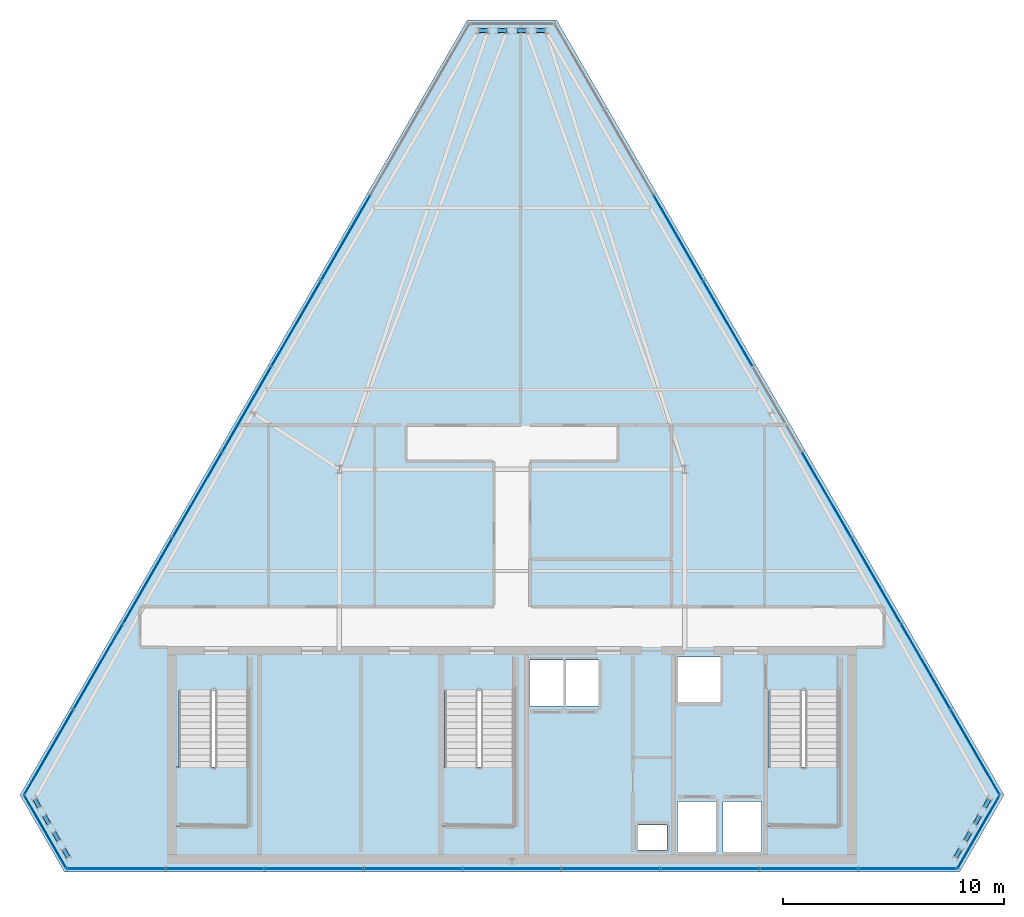
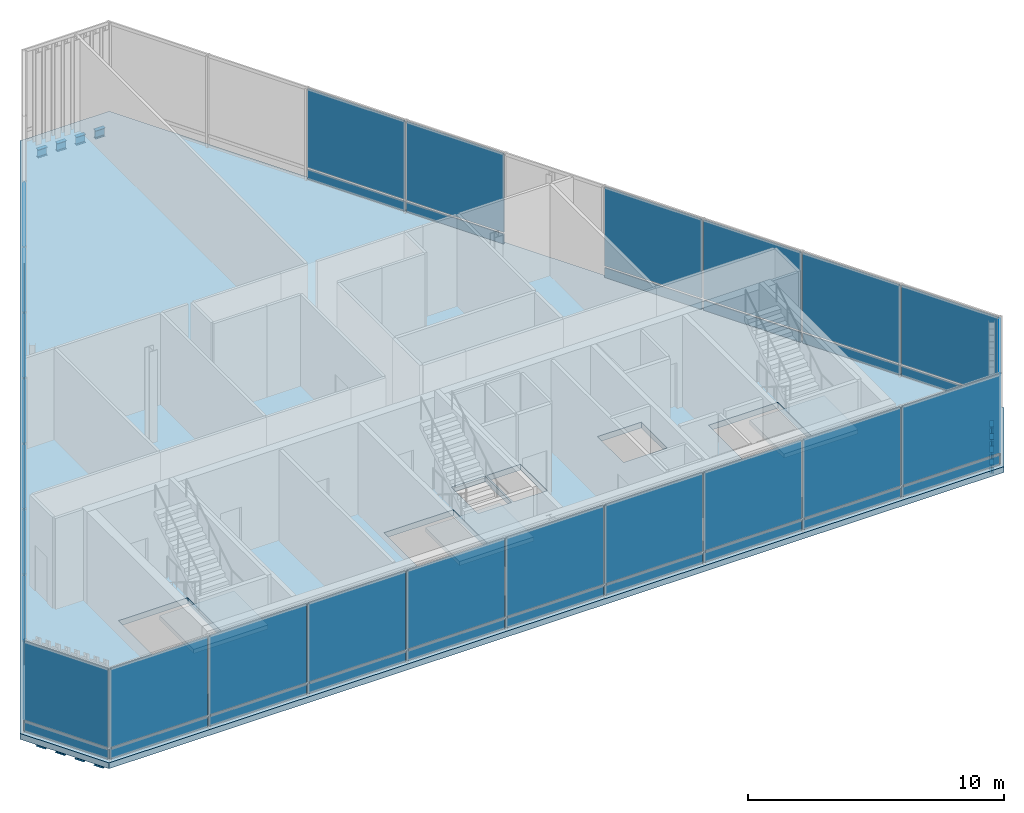
# One storey, part 19 of 25: 48 plates, 12 beams, 4 slabs, 8 elements without a shape of their own.
"""IFC4 building model written with IfcOpenShell, lengths in metres."""

import ifcopenshell
import ifcopenshell.guid

model = None  # the IFC model being written
_history = None  # IfcOwnerHistory: only IFC2X3 demands one
_inside = {}  # id of a spatial element -> (the spatial element, [elements in it])
_under = {}  # id of a project, library or spatial element -> (it, [spatial elements below it])
_declared = {}  # id of a project -> (the project, [libraries it declares])
_typed = {}  # id of a type object -> (the type object, [elements of that type])
_made_of = {}  # id of a material, layer set ... -> (it, [elements and type objects made of it])


def new_model(schema):
    """Start an empty IFC model of exactly this schema.

    Asked for "IFC4X3", IfcOpenShell would pick the latest addendum, in which some entities
    have other attributes; the version numbers below select the first issue.
    IFC2X3 requires an IfcOwnerHistory on every rooted entity: one is made here for all.
    """
    global model, _history
    if schema == "IFC4X3":
        model = ifcopenshell.file(schema_version=(4, 3, 0, 0))
    else:
        model = ifcopenshell.file(schema=schema)
    _inside.clear()
    _under.clear()
    _declared.clear()
    _typed.clear()
    _made_of.clear()
    _history = None
    if model.schema == "IFC2X3":
        org = make("IfcOrganization", Name="unknown")
        user = make(
            "IfcPersonAndOrganization",
            ThePerson=make("IfcPerson", FamilyName="unknown"),
            TheOrganization=org,
        )
        app = make(
            "IfcApplication",
            ApplicationDeveloper=org,
            Version="unknown",
            ApplicationFullName="unknown",
            ApplicationIdentifier="unknown",
        )
        _history = make(
            "IfcOwnerHistory",
            OwningUser=user,
            OwningApplication=app,
            ChangeAction="ADDED",
            CreationDate=0,
        )
    return model


def make(cls, **values):
    """One entity of the class cls with the attributes given. An attribute that is None is left unset."""
    return model.create_entity(
        cls, **{name: value for name, value in values.items() if value is not None}
    )


def rooted(cls, **values):
    """An entity with a GlobalId (a new one), such as an element, a storey or a relation."""
    return make(cls, GlobalId=ifcopenshell.guid.new(), OwnerHistory=_history, **values)


def si_unit(unit_type, name, prefix=None):
    """IfcSIUnit, for example si_unit("LENGTHUNIT", "METRE", prefix="MILLI")."""
    return make("IfcSIUnit", UnitType=unit_type, Prefix=prefix, Name=name)


def assignment(units):
    """IfcUnitAssignment: the units of a project."""
    return None if units is None else make("IfcUnitAssignment", Units=units)


def point(xyz):
    """IfcCartesianPoint."""
    return None if xyz is None else make("IfcCartesianPoint", Coordinates=xyz)


def direction(xyz):
    """IfcDirection."""
    return None if xyz is None else make("IfcDirection", DirectionRatios=xyz)


def frame(location, z_axis=None, x_axis=None):
    """IfcAxis2Placement3D, a coordinate frame: its origin and axes. An axis left out is left unset."""
    return make(
        "IfcAxis2Placement3D",
        Location=point(location),
        Axis=direction(z_axis),
        RefDirection=direction(x_axis),
    )


def frame_2d(location, x_axis=None):
    """IfcAxis2Placement2D, a coordinate frame in the plane: its origin and x axis."""
    return make(
        "IfcAxis2Placement2D", Location=point(location), RefDirection=direction(x_axis)
    )


def origin():
    """The frame at (0, 0, 0) with its axes left unset."""
    return frame((0.0, 0.0, 0.0))


def origin_2d():
    """The frame at (0, 0) in the plane with its x axis left unset."""
    return frame_2d((0.0, 0.0))


def place(relative_to, where):
    """IfcLocalPlacement: puts the frame where relative to a parent placement (None: the world)."""
    return make(
        "IfcLocalPlacement", PlacementRelTo=relative_to, RelativePlacement=where
    )


def context(
    kind, dimensions, precision=None, world=None, true_north=None, identifier=None
):
    """IfcGeometricRepresentationContext, for example the 3D "Model" context."""
    return make(
        "IfcGeometricRepresentationContext",
        ContextIdentifier=identifier,
        ContextType=kind,
        CoordinateSpaceDimension=dimensions,
        Precision=precision,
        WorldCoordinateSystem=world,
        TrueNorth=true_north,
    )


def subcontext(parent, identifier, kind, view, scale=None):
    """IfcGeometricRepresentationSubContext, for example "Body" below "Model"."""
    return make(
        "IfcGeometricRepresentationSubContext",
        ContextIdentifier=identifier,
        ContextType=kind,
        ParentContext=parent,
        TargetScale=scale,
        TargetView=view,
    )


def project(units=None, contexts=None):
    """IfcProject with its units and contexts."""
    return rooted(
        "IfcProject",
        Name="project",
        RepresentationContexts=contexts,
        UnitsInContext=assignment(units),
    )


def spatial(cls, under=None, at=None, **own):
    """A site, building, storey or space (cls), placed at a placement, below another one or the project."""
    s = rooted(cls, ObjectPlacement=at, **own)
    if under is not None:
        _under.setdefault(under.id(), (under, []))[1].append(s)
    return s


def polyline(points):
    """IfcPolyline through the points."""
    return make("IfcPolyline", Points=[point(p) for p in points])


def profile(cls, at=None, kind="AREA", **sizes):
    """A parametric profile (cls). Its sizes go by their IFC names, for example OverallWidth=200.0."""
    return make(cls, ProfileType=kind, Position=at, **sizes)


def rectangle(**sizes):
    """IfcRectangleProfileDef."""
    return profile("IfcRectangleProfileDef", **sizes)


def i_section(**sizes):
    """IfcIShapeProfileDef."""
    return profile("IfcIShapeProfileDef", **sizes)


def outline(outer, holes=None, kind="AREA"):
    """IfcArbitraryClosedProfileDef: a profile drawn as a closed curve; with holes, ...WithVoids."""
    if holes is None:
        return make("IfcArbitraryClosedProfileDef", ProfileType=kind, OuterCurve=outer)
    return make(
        "IfcArbitraryProfileDefWithVoids",
        ProfileType=kind,
        OuterCurve=outer,
        InnerCurves=holes,
    )


def extrude(swept, where, along, depth):
    """IfcExtrudedAreaSolid: the profile swept, set in the frame where, extruded along a direction by depth."""
    return make(
        "IfcExtrudedAreaSolid",
        SweptArea=swept,
        Position=where,
        ExtrudedDirection=direction(along),
        Depth=depth,
    )


def shape(context_of_items, identifier, shape_type, items):
    """IfcShapeRepresentation: the items that make up one representation, for example the "Body"."""
    return make(
        "IfcShapeRepresentation",
        ContextOfItems=context_of_items,
        RepresentationIdentifier=identifier,
        RepresentationType=shape_type,
        Items=items,
    )


def material(Name=None, Category=None):
    """IfcMaterial."""
    return make("IfcMaterial", Name=Name, Category=Category)


def layer(
    of_material, thickness, ventilated=None, Name=None, Category=None, Priority=None
):
    """IfcMaterialLayer: one layer of a wall or slab, of a material (None: an air gap)."""
    return make(
        "IfcMaterialLayer",
        Material=of_material,
        LayerThickness=thickness,
        IsVentilated=ventilated,
        Name=Name,
        Category=Category,
        Priority=Priority,
    )


def layer_set(layers, Name=None):
    """IfcMaterialLayerSet."""
    return make("IfcMaterialLayerSet", MaterialLayers=layers, LayerSetName=Name)


def material_profile(
    of_material, cross_section, Name=None, Category=None, Priority=None
):
    """IfcMaterialProfile: a cross section and its material."""
    return make(
        "IfcMaterialProfile",
        Name=Name,
        Material=of_material,
        Profile=cross_section,
        Priority=Priority,
        Category=Category,
    )


def profile_set(profiles, Name=None, composite=None):
    """IfcMaterialProfileSet."""
    return make(
        "IfcMaterialProfileSet",
        Name=Name,
        MaterialProfiles=profiles,
        CompositeProfile=composite,
    )


def made_of(thing, what):
    """Note that an element or type object is made of a material, layer set ...; save() writes the relation."""
    if what is not None:
        _made_of.setdefault(what.id(), (what, []))[1].append(thing)
    return thing


def type_object(cls, material=None, **own):
    """A type object (cls), such as IfcWallType, which elements share."""
    return made_of(rooted(cls, **own), material)


def element(
    cls,
    number,
    at=None,
    inside=None,
    cuts=None,
    type_object=None,
    material=None,
    context=None,
    identifier="Body",
    shape_type=None,
    held_by="IfcProductDefinitionShape",
    body=None,
    shapes=None,
    **own,
):
    """One element of the class cls, such as IfcWall. Its Tag is "e" and its number.

    at: its placement. inside: the storey or other place that contains it. cuts: it is an
    opening in that element (IfcRelVoidsElement). A single representation is given by context,
    identifier, shape_type and body (its items); several are given by shapes. held_by: the class
    of the entity that holds the representations. save() writes the other relations.
    """
    e = rooted(cls, Tag="e%d" % number, ObjectPlacement=at, **own)
    if body is not None:
        shapes = [shape(context, identifier, shape_type, body)]
    if shapes is not None:
        e.Representation = make(held_by, Representations=shapes)
    if inside is not None:
        _inside.setdefault(inside.id(), (inside, []))[1].append(e)
    if cuts is not None:
        rooted(
            "IfcRelVoidsElement", RelatingBuildingElement=cuts, RelatedOpeningElement=e
        )
    if type_object is not None:
        _typed.setdefault(type_object.id(), (type_object, []))[1].append(e)
    return made_of(e, material)


def aggregate(whole, parts):
    """IfcRelAggregates: a whole, such as a stair, and the parts it consists of."""
    return rooted("IfcRelAggregates", RelatingObject=whole, RelatedObjects=parts)


def save(model, path):
    """Write the relations noted so far, then the file.

    IfcRelAggregates (storeys below a building ...), IfcRelContainedInSpatialStructure (elements
    in a storey), IfcRelDefinesByType, IfcRelAssociatesMaterial and IfcRelDeclares: one each for
    every whole, place, type object, material and project.
    """
    for whole, parts in _under.values():
        aggregate(whole, parts)
    for where, things in _inside.values():
        rooted(
            "IfcRelContainedInSpatialStructure",
            RelatedElements=things,
            RelatingStructure=where,
        )
    for kind, things in _typed.values():
        rooted("IfcRelDefinesByType", RelatedObjects=things, RelatingType=kind)
    for what, things in _made_of.values():
        rooted("IfcRelAssociatesMaterial", RelatedObjects=things, RelatingMaterial=what)
    for by, libraries in _declared.values():
        rooted("IfcRelDeclares", RelatingContext=by, RelatedDefinitions=libraries)
    model.write(path)


model = new_model("IFC4")

# Units and contexts
model_context = context("Model", 3, precision=1e-05, world=origin(), true_north=direction((0.0, 1.0)))
body_context = subcontext(model_context, "Body", "Model", "MODEL_VIEW")
ifc_project = project(units=[si_unit("LENGTHUNIT", "METRE"), si_unit("AREAUNIT", "SQUARE_METRE"), si_unit("VOLUMEUNIT", "CUBIC_METRE"), si_unit("PLANEANGLEUNIT", "RADIAN"), si_unit("MASSUNIT", "GRAM", prefix="KILO")], contexts=[model_context])

# Site, building, storey
site_placement = place(None, origin())
site = spatial("IfcSite", under=ifc_project, at=site_placement, CompositionType="ELEMENT")
building_placement = place(site_placement, origin())
building = spatial("IfcBuilding", under=site, at=building_placement, Name="Ndaravel Arena Tower", CompositionType="ELEMENT")
storey_placement = place(building_placement, frame((0.0, 0.0, 303.300048828125)))
storey = spatial("IfcBuildingStorey", under=building, at=storey_placement, Name="L74", CompositionType="ELEMENT", Elevation=303.300048828125)

# Beams
ifc_material_1 = material(Name="Steel S355", Category="steel")
ifc_material_profile = material_profile(ifc_material_1, i_section(OverallWidth=0.179931640625, OverallDepth=0.39990234375, WebThickness=0.008544921875, FlangeThickness=0.013427734375, FilletRadius=0.02099609375, at=origin_2d()), Name="IPE 400")
ifc_profile_set = profile_set([ifc_material_profile], Name="Steel S355")
beam_type = type_object("IfcBeamType", Name="BM-SPAN-IPE400", PredefinedType="SPANDREL", material=ifc_profile_set)
for number, where, z_axis, x_axis, name in (
    (1, (62.038818359375, 5.667724609375, -0.47998046875), (0.499771175029, 0.866157475642, 0.0), (-0.866157475642, 0.499771175029, 0.0), "L74 Perimeter Spandrel Beam SP-02"),
    (2, (62.472412109375, 6.419189453125, -0.47998046875), (0.500193229689, 0.865913813825, 0.0), (-0.865913813825, 0.500193229689, 0.0), "L74 Perimeter Spandrel Beam SP-04"),
    (3, (62.90625, 7.17041015625, -0.47998046875), (0.499771175029, 0.866157475642, 0.0), (-0.866157475642, 0.499771175029, 0.0), "L74 Perimeter Spandrel Beam SP-06"),
    (4, (63.340087890625, 7.921630859375, -0.47998046875), (0.499771175029, 0.866157475642, 0.0), (-0.866157475642, 0.499771175029, 0.0), "L74 Perimeter Spandrel Beam SP-08"),
    (5, (43.518310546875, 43.00537109375, -0.47998046875), (-1.0, 0.0, 0.0), (0.0, -1.0, 0.0), "L74 Perimeter Spandrel Beam SP-11"),
    (6, (42.650634765625, 43.00537109375, -0.47998046875), (-1.0, 0.0, 0.0), (0.0, -1.0, 0.0), "L74 Perimeter Spandrel Beam SP-13"),
    (7, (41.783203125, 43.00537109375, -0.47998046875), (-1.0, 0.0, 0.0), (0.0, -1.0, 0.0), "L74 Perimeter Spandrel Beam SP-15"),
    (8, (40.91552734375, 43.00537109375, -0.47998046875), (-1.0, 0.0, 0.0), (0.0, -1.0, 0.0), "L74 Perimeter Spandrel Beam SP-17"),
    (9, (20.443115234375, 8.29736328125, -0.47998046875), (0.499771175029, -0.866157475642, 0.0), (0.866157475642, 0.499771175029, 0.0), "L74 Perimeter Spandrel Beam SP-20"),
    (10, (20.876953125, 7.546142578125, -0.47998046875), (0.499771175029, -0.866157475642, 0.0), (0.866157475642, 0.499771175029, 0.0), "L74 Perimeter Spandrel Beam SP-22"),
    (11, (21.310546875, 6.794921875, -0.47998046875), (0.500193229689, -0.865913813825, 0.0), (0.865913813825, 0.500193229689, 0.0), "L74 Perimeter Spandrel Beam SP-24"),
    (12, (21.744384765625, 6.04345703125, -0.47998046875), (0.499771175029, -0.866157475642, 0.0), (0.866157475642, 0.499771175029, 0.0), "L74 Perimeter Spandrel Beam SP-26"),
):
    element("IfcBeam", number, at=place(storey_placement, frame(where, z_axis=z_axis, x_axis=x_axis)), inside=storey, type_object=beam_type, Name=name, PredefinedType="SPANDREL", context=body_context, shape_type="SweptSolid", body=[
        extrude(i_section(OverallWidth=0.179931640625, OverallDepth=0.39990234375, WebThickness=0.008544921875, FlangeThickness=0.013427734375, FilletRadius=0.02099609375, at=origin_2d()), origin(), (0.0, 0.0, 1.0), 0.433837890625),
    ])

# Curtain wall, plates
ifc_material_2 = material(Name="Aluminium", Category="aluminium")
ifc_layer_1 = layer(ifc_material_2, 0.179931640625)
ifc_layer_set_1 = layer_set([ifc_layer_1], Name="Aluminium")
curtain_wall_type = type_object("IfcCurtainWallType", Name="CW-SYS-04", PredefinedType="NOTDEFINED", material=ifc_layer_set_1)
curtain_wall_1_placement = place(storey_placement, origin())
curtain_wall_1 = element("IfcCurtainWall", 13, at=curtain_wall_1_placement, inside=storey, type_object=curtain_wall_type, Name="L74 Faceted Crystal Curtain Wall CW-L74-E01", PredefinedType="NOTDEFINED")
ifc_material_3 = material(Name="Glazing", Category="glass")
ifc_layer_2 = layer(ifc_material_3, 0.0400390625)
ifc_layer_set_2 = layer_set([ifc_layer_2], Name="Glazing")
plate_type_1 = type_object("IfcPlateType", Name="PLT-GLZ-LOWIRON", PredefinedType="CURTAIN_PANEL", material=ifc_layer_set_2)
plate_1_placement = place(storey_placement, frame((24.1201171875, 5.159912109375, 0.58984375), z_axis=(0.0, 0.0, 1.0), x_axis=(1.0, 0.0, 0.0)))
plate_1 = element("IfcPlate", 14, at=plate_1_placement, type_object=plate_type_1, Name="CW-L74-E01 Vision Glass Panel 01", PredefinedType="CURTAIN_PANEL", context=body_context, shape_type="SweptSolid", body=[
    extrude(rectangle(XDim=4.389892578125, YDim=0.035888671875, at=origin_2d()), origin(), (0.0, 0.0, 1.0), 3.77001953125),
])
plate_2_placement = place(storey_placement, frame((28.590087890625, 5.159912109375, 0.58984375), z_axis=(0.0, 0.0, 1.0), x_axis=(1.0, 0.0, 0.0)))
plate_2 = element("IfcPlate", 15, at=plate_2_placement, type_object=plate_type_1, Name="CW-L74-E01 Vision Glass Panel 02", PredefinedType="CURTAIN_PANEL", context=body_context, shape_type="SweptSolid", body=[
    extrude(rectangle(XDim=4.389892578125, YDim=0.035888671875, at=origin_2d()), origin(), (0.0, 0.0, 1.0), 3.77001953125),
])
plate_3_placement = place(storey_placement, frame((33.06005859375, 5.159912109375, 0.58984375), z_axis=(0.0, 0.0, 1.0), x_axis=(1.0, 0.0, 0.0)))
plate_3 = element("IfcPlate", 16, at=plate_3_placement, type_object=plate_type_1, Name="CW-L74-E01 Vision Glass Panel 03", PredefinedType="CURTAIN_PANEL", context=body_context, shape_type="SweptSolid", body=[
    extrude(rectangle(XDim=4.389892578125, YDim=0.035888671875, at=origin_2d()), origin(), (0.0, 0.0, 1.0), 3.77001953125),
])
plate_4_placement = place(storey_placement, frame((37.530029296875, 5.159912109375, 0.58984375), z_axis=(0.0, 0.0, 1.0), x_axis=(1.0, 0.0, 0.0)))
plate_4 = element("IfcPlate", 17, at=plate_4_placement, type_object=plate_type_1, Name="CW-L74-E01 Vision Glass Panel 04", PredefinedType="CURTAIN_PANEL", context=body_context, shape_type="SweptSolid", body=[
    extrude(rectangle(XDim=4.389892578125, YDim=0.035888671875, at=origin_2d()), origin(), (0.0, 0.0, 1.0), 3.77001953125),
])
plate_5_placement = place(storey_placement, frame((42.0, 5.159912109375, 0.58984375), z_axis=(0.0, 0.0, 1.0), x_axis=(1.0, 0.0, 0.0)))
plate_5 = element("IfcPlate", 18, at=plate_5_placement, type_object=plate_type_1, Name="CW-L74-E01 Vision Glass Panel 05", PredefinedType="CURTAIN_PANEL", context=body_context, shape_type="SweptSolid", body=[
    extrude(rectangle(XDim=4.389892578125, YDim=0.035888671875, at=origin_2d()), origin(), (0.0, 0.0, 1.0), 3.77001953125),
])
plate_6_placement = place(storey_placement, frame((46.469970703125, 5.159912109375, 0.58984375), z_axis=(0.0, 0.0, 1.0), x_axis=(1.0, 0.0, 0.0)))
plate_6 = element("IfcPlate", 19, at=plate_6_placement, type_object=plate_type_1, Name="CW-L74-E01 Vision Glass Panel 06", PredefinedType="CURTAIN_PANEL", context=body_context, shape_type="SweptSolid", body=[
    extrude(rectangle(XDim=4.389892578125, YDim=0.035888671875, at=origin_2d()), origin(), (0.0, 0.0, 1.0), 3.77001953125),
])
plate_7_placement = place(storey_placement, frame((50.93994140625, 5.159912109375, 0.58984375), z_axis=(0.0, 0.0, 1.0), x_axis=(1.0, 0.0, 0.0)))
plate_7 = element("IfcPlate", 20, at=plate_7_placement, type_object=plate_type_1, Name="CW-L74-E01 Vision Glass Panel 07", PredefinedType="CURTAIN_PANEL", context=body_context, shape_type="SweptSolid", body=[
    extrude(rectangle(XDim=4.389892578125, YDim=0.035888671875, at=origin_2d()), origin(), (0.0, 0.0, 1.0), 3.77001953125),
])
plate_8_placement = place(storey_placement, frame((55.409912109375, 5.159912109375, 0.58984375), z_axis=(0.0, 0.0, 1.0), x_axis=(1.0, 0.0, 0.0)))
plate_8 = element("IfcPlate", 21, at=plate_8_placement, type_object=plate_type_1, Name="CW-L74-E01 Vision Glass Panel 08", PredefinedType="CURTAIN_PANEL", context=body_context, shape_type="SweptSolid", body=[
    extrude(rectangle(XDim=4.389892578125, YDim=0.035888671875, at=origin_2d()), origin(), (0.0, 0.0, 1.0), 3.77001953125),
])
plate_9_placement = place(storey_placement, frame((59.8798828125, 5.159912109375, 0.58984375), z_axis=(0.0, 0.0, 1.0), x_axis=(1.0, 0.0, 0.0)))
plate_9 = element("IfcPlate", 22, at=plate_9_placement, type_object=plate_type_1, Name="CW-L74-E01 Vision Glass Panel 09", PredefinedType="CURTAIN_PANEL", context=body_context, shape_type="SweptSolid", body=[
    extrude(rectangle(XDim=4.389892578125, YDim=0.035888671875, at=origin_2d()), origin(), (0.0, 0.0, 1.0), 3.77001953125),
])

# Curtain wall, plate
curtain_wall_2_placement = place(storey_placement, origin())
curtain_wall_2 = element("IfcCurtainWall", 23, at=curtain_wall_2_placement, inside=storey, type_object=curtain_wall_type, Name="L74 Faceted Crystal Curtain Wall CW-L74-E02", PredefinedType="NOTDEFINED")
plate_10_placement = place(storey_placement, frame((63.074951171875, 6.822509765625, 0.58984375), z_axis=(0.0, 0.0, 1.0), x_axis=(0.5, 0.866025403784, 0.0)))
plate_10 = element("IfcPlate", 24, at=plate_10_placement, type_object=plate_type_1, Name="CW-L74-E02 Vision Glass Panel 01", PredefinedType="CURTAIN_PANEL", context=body_context, shape_type="SweptSolid", body=[
    extrude(rectangle(XDim=3.759521484375, YDim=0.035888671875, at=origin_2d()), origin(), (0.0, 0.0, 1.0), 3.77001953125),
])

# Curtain wall, plates
curtain_wall_3_placement = place(storey_placement, origin())
curtain_wall_3 = element("IfcCurtainWall", 25, at=curtain_wall_3_placement, inside=storey, type_object=curtain_wall_type, Name="L74 Faceted Crystal Curtain Wall CW-L74-E03", PredefinedType="NOTDEFINED")
plate_11_placement = place(storey_placement, frame((62.917236328125, 10.4208984375, 0.58984375), z_axis=(0.0, 0.0, 1.0), x_axis=(-0.5, 0.866025403784, 0.0)))
plate_11 = element("IfcPlate", 26, at=plate_11_placement, type_object=plate_type_1, Name="CW-L74-E03 Vision Glass Panel 01", PredefinedType="CURTAIN_PANEL", context=body_context, shape_type="SweptSolid", body=[
    extrude(rectangle(XDim=4.389892578125, YDim=0.035888671875, at=origin_2d()), origin(), (0.0, 0.0, 1.0), 3.77001953125),
])
plate_12_placement = place(storey_placement, frame((60.682373046875, 14.2919921875, 0.58984375), z_axis=(0.0, 0.0, 1.0), x_axis=(-0.5, 0.866025403784, 0.0)))
plate_12 = element("IfcPlate", 27, at=plate_12_placement, type_object=plate_type_1, Name="CW-L74-E03 Vision Glass Panel 02", PredefinedType="CURTAIN_PANEL", context=body_context, shape_type="SweptSolid", body=[
    extrude(rectangle(XDim=4.389892578125, YDim=0.035888671875, at=origin_2d()), origin(), (0.0, 0.0, 1.0), 3.77001953125),
])
plate_13_placement = place(storey_placement, frame((58.447265625, 18.1630859375, 0.58984375), z_axis=(0.0, 0.0, 1.0), x_axis=(-0.5, 0.866025403784, 0.0)))
plate_13 = element("IfcPlate", 28, at=plate_13_placement, type_object=plate_type_1, Name="CW-L74-E03 Vision Glass Panel 03", PredefinedType="CURTAIN_PANEL", context=body_context, shape_type="SweptSolid", body=[
    extrude(rectangle(XDim=4.389892578125, YDim=0.035888671875, at=origin_2d()), origin(), (0.0, 0.0, 1.0), 3.77001953125),
])
plate_14_placement = place(storey_placement, frame((56.21240234375, 22.0341796875, 0.58984375), z_axis=(0.0, 0.0, 1.0), x_axis=(-0.5, 0.866025403784, 0.0)))
plate_14 = element("IfcPlate", 29, at=plate_14_placement, type_object=plate_type_1, Name="CW-L74-E03 Vision Glass Panel 04", PredefinedType="CURTAIN_PANEL", context=body_context, shape_type="SweptSolid", body=[
    extrude(rectangle(XDim=4.389892578125, YDim=0.035888671875, at=origin_2d()), origin(), (0.0, 0.0, 1.0), 3.77001953125),
])
plate_15_placement = place(storey_placement, frame((51.7421875, 29.7763671875, 0.58984375), z_axis=(0.0, 0.0, 1.0), x_axis=(-0.5, 0.866025403784, 0.0)))
plate_15 = element("IfcPlate", 30, at=plate_15_placement, type_object=plate_type_1, Name="CW-L74-E03 Vision Glass Panel 06", PredefinedType="CURTAIN_PANEL", context=body_context, shape_type="SweptSolid", body=[
    extrude(rectangle(XDim=4.389892578125, YDim=0.035888671875, at=origin_2d()), origin(), (0.0, 0.0, 1.0), 3.77001953125),
])
plate_16_placement = place(storey_placement, frame((49.50732421875, 33.647705078125, 0.58984375), z_axis=(0.0, 0.0, 1.0), x_axis=(-0.5, 0.866025403784, 0.0)))
plate_16 = element("IfcPlate", 31, at=plate_16_placement, type_object=plate_type_1, Name="CW-L74-E03 Vision Glass Panel 07", PredefinedType="CURTAIN_PANEL", context=body_context, shape_type="SweptSolid", body=[
    extrude(rectangle(XDim=4.389892578125, YDim=0.035888671875, at=origin_2d()), origin(), (0.0, 0.0, 1.0), 3.77001953125),
])

curtain_wall_4_placement = place(storey_placement, origin())
curtain_wall_4 = element("IfcCurtainWall", 32, at=curtain_wall_4_placement, inside=storey, type_object=curtain_wall_type, Name="L74 Faceted Crystal Curtain Wall CW-L74-E05", PredefinedType="NOTDEFINED")
plate_17_placement = place(storey_placement, frame((34.49267578125, 33.647705078125, 0.58984375), z_axis=(0.0, 0.0, 1.0), x_axis=(-0.5, -0.866025403784, 0.0)))
plate_17 = element("IfcPlate", 33, at=plate_17_placement, type_object=plate_type_1, Name="CW-L74-E05 Vision Glass Panel 03", PredefinedType="CURTAIN_PANEL", context=body_context, shape_type="SweptSolid", body=[
    extrude(rectangle(XDim=4.389892578125, YDim=0.035888671875, at=origin_2d()), origin(), (0.0, 0.0, 1.0), 3.77001953125),
])
plate_18_placement = place(storey_placement, frame((32.2578125, 29.7763671875, 0.58984375), z_axis=(0.0, 0.0, 1.0), x_axis=(-0.5, -0.866025403784, 0.0)))
plate_18 = element("IfcPlate", 34, at=plate_18_placement, type_object=plate_type_1, Name="CW-L74-E05 Vision Glass Panel 04", PredefinedType="CURTAIN_PANEL", context=body_context, shape_type="SweptSolid", body=[
    extrude(rectangle(XDim=4.389892578125, YDim=0.035888671875, at=origin_2d()), origin(), (0.0, 0.0, 1.0), 3.77001953125),
])
plate_19_placement = place(storey_placement, frame((30.022705078125, 25.9052734375, 0.58984375), z_axis=(0.0, 0.0, 1.0), x_axis=(-0.5, -0.866025403784, 0.0)))
plate_19 = element("IfcPlate", 35, at=plate_19_placement, type_object=plate_type_1, Name="CW-L74-E05 Vision Glass Panel 05", PredefinedType="CURTAIN_PANEL", context=body_context, shape_type="SweptSolid", body=[
    extrude(rectangle(XDim=4.389892578125, YDim=0.035888671875, at=origin_2d()), origin(), (0.0, 0.0, 1.0), 3.77001953125),
])
plate_20_placement = place(storey_placement, frame((27.78759765625, 22.0341796875, 0.58984375), z_axis=(0.0, 0.0, 1.0), x_axis=(-0.5, -0.866025403784, 0.0)))
plate_20 = element("IfcPlate", 36, at=plate_20_placement, type_object=plate_type_1, Name="CW-L74-E05 Vision Glass Panel 06", PredefinedType="CURTAIN_PANEL", context=body_context, shape_type="SweptSolid", body=[
    extrude(rectangle(XDim=4.389892578125, YDim=0.035888671875, at=origin_2d()), origin(), (0.0, 0.0, 1.0), 3.77001953125),
])
plate_21_placement = place(storey_placement, frame((25.552734375, 18.1630859375, 0.58984375), z_axis=(0.0, 0.0, 1.0), x_axis=(-0.5, -0.866025403784, 0.0)))
plate_21 = element("IfcPlate", 37, at=plate_21_placement, type_object=plate_type_1, Name="CW-L74-E05 Vision Glass Panel 07", PredefinedType="CURTAIN_PANEL", context=body_context, shape_type="SweptSolid", body=[
    extrude(rectangle(XDim=4.389892578125, YDim=0.035888671875, at=origin_2d()), origin(), (0.0, 0.0, 1.0), 3.77001953125),
])
plate_22_placement = place(storey_placement, frame((23.317626953125, 14.2919921875, 0.58984375), z_axis=(0.0, 0.0, 1.0), x_axis=(-0.5, -0.866025403784, 0.0)))
plate_22 = element("IfcPlate", 38, at=plate_22_placement, type_object=plate_type_1, Name="CW-L74-E05 Vision Glass Panel 08", PredefinedType="CURTAIN_PANEL", context=body_context, shape_type="SweptSolid", body=[
    extrude(rectangle(XDim=4.389892578125, YDim=0.035888671875, at=origin_2d()), origin(), (0.0, 0.0, 1.0), 3.77001953125),
])
plate_23_placement = place(storey_placement, frame((21.082763671875, 10.4208984375, 0.58984375), z_axis=(0.0, 0.0, 1.0), x_axis=(-0.5, -0.866025403784, 0.0)))
plate_23 = element("IfcPlate", 39, at=plate_23_placement, type_object=plate_type_1, Name="CW-L74-E05 Vision Glass Panel 09", PredefinedType="CURTAIN_PANEL", context=body_context, shape_type="SweptSolid", body=[
    extrude(rectangle(XDim=4.389892578125, YDim=0.035888671875, at=origin_2d()), origin(), (0.0, 0.0, 1.0), 3.77001953125),
])

# Curtain wall, plate
curtain_wall_5_placement = place(storey_placement, origin())
curtain_wall_5 = element("IfcCurtainWall", 40, at=curtain_wall_5_placement, inside=storey, type_object=curtain_wall_type, Name="L74 Faceted Crystal Curtain Wall CW-L74-E06", PredefinedType="NOTDEFINED")
plate_24_placement = place(storey_placement, frame((20.925048828125, 6.822509765625, 0.58984375), z_axis=(0.0, 0.0, 1.0), x_axis=(0.5, -0.866025403784, 0.0)))
plate_24 = element("IfcPlate", 41, at=plate_24_placement, type_object=plate_type_1, Name="CW-L74-E06 Vision Glass Panel 01", PredefinedType="CURTAIN_PANEL", context=body_context, shape_type="SweptSolid", body=[
    extrude(rectangle(XDim=3.759521484375, YDim=0.035888671875, at=origin_2d()), origin(), (0.0, 0.0, 1.0), 3.77001953125),
])

# Plate
ifc_material_4 = material(Name="Aluminium", Category="aluminium")
ifc_layer_3 = layer(ifc_material_4, 0.044921875)
ifc_layer_set_3 = layer_set([ifc_layer_3], Name="Aluminium")
plate_type_2 = type_object("IfcPlateType", Name="PLT-SPANDREL-ALU", PredefinedType="SHEET", material=ifc_layer_set_3)
plate_25_placement = place(storey_placement, frame((24.1201171875, 5.159912109375, 0.0400390625), z_axis=(0.0, 0.0, 1.0), x_axis=(1.0, 0.0, 0.0)))
plate_25 = element("IfcPlate", 42, at=plate_25_placement, type_object=plate_type_2, Name="CW-L74-E01 Spandrel Panel 01", PredefinedType="SHEET", context=body_context, shape_type="SweptSolid", body=[
    extrude(rectangle(XDim=4.389892578125, YDim=0.044921875, at=origin_2d()), origin(), (0.0, 0.0, 1.0), 0.469970703125),
])

plate_26_placement = place(storey_placement, frame((28.590087890625, 5.159912109375, 0.0400390625), z_axis=(0.0, 0.0, 1.0), x_axis=(1.0, 0.0, 0.0)))
plate_26 = element("IfcPlate", 43, at=plate_26_placement, type_object=plate_type_2, Name="CW-L74-E01 Spandrel Panel 02", PredefinedType="SHEET", context=body_context, shape_type="SweptSolid", body=[
    extrude(rectangle(XDim=4.389892578125, YDim=0.044921875, at=origin_2d()), origin(), (0.0, 0.0, 1.0), 0.469970703125),
])

plate_27_placement = place(storey_placement, frame((33.06005859375, 5.159912109375, 0.0400390625), z_axis=(0.0, 0.0, 1.0), x_axis=(1.0, 0.0, 0.0)))
plate_27 = element("IfcPlate", 44, at=plate_27_placement, type_object=plate_type_2, Name="CW-L74-E01 Spandrel Panel 03", PredefinedType="SHEET", context=body_context, shape_type="SweptSolid", body=[
    extrude(rectangle(XDim=4.389892578125, YDim=0.044921875, at=origin_2d()), origin(), (0.0, 0.0, 1.0), 0.469970703125),
])

plate_28_placement = place(storey_placement, frame((37.530029296875, 5.159912109375, 0.0400390625), z_axis=(0.0, 0.0, 1.0), x_axis=(1.0, 0.0, 0.0)))
plate_28 = element("IfcPlate", 45, at=plate_28_placement, type_object=plate_type_2, Name="CW-L74-E01 Spandrel Panel 04", PredefinedType="SHEET", context=body_context, shape_type="SweptSolid", body=[
    extrude(rectangle(XDim=4.389892578125, YDim=0.044921875, at=origin_2d()), origin(), (0.0, 0.0, 1.0), 0.469970703125),
])

plate_29_placement = place(storey_placement, frame((42.0, 5.159912109375, 0.0400390625), z_axis=(0.0, 0.0, 1.0), x_axis=(1.0, 0.0, 0.0)))
plate_29 = element("IfcPlate", 46, at=plate_29_placement, type_object=plate_type_2, Name="CW-L74-E01 Spandrel Panel 05", PredefinedType="SHEET", context=body_context, shape_type="SweptSolid", body=[
    extrude(rectangle(XDim=4.389892578125, YDim=0.044921875, at=origin_2d()), origin(), (0.0, 0.0, 1.0), 0.469970703125),
])

plate_30_placement = place(storey_placement, frame((46.469970703125, 5.159912109375, 0.0400390625), z_axis=(0.0, 0.0, 1.0), x_axis=(1.0, 0.0, 0.0)))
plate_30 = element("IfcPlate", 47, at=plate_30_placement, type_object=plate_type_2, Name="CW-L74-E01 Spandrel Panel 06", PredefinedType="SHEET", context=body_context, shape_type="SweptSolid", body=[
    extrude(rectangle(XDim=4.389892578125, YDim=0.044921875, at=origin_2d()), origin(), (0.0, 0.0, 1.0), 0.469970703125),
])

plate_31_placement = place(storey_placement, frame((50.93994140625, 5.159912109375, 0.0400390625), z_axis=(0.0, 0.0, 1.0), x_axis=(1.0, 0.0, 0.0)))
plate_31 = element("IfcPlate", 48, at=plate_31_placement, type_object=plate_type_2, Name="CW-L74-E01 Spandrel Panel 07", PredefinedType="SHEET", context=body_context, shape_type="SweptSolid", body=[
    extrude(rectangle(XDim=4.389892578125, YDim=0.044921875, at=origin_2d()), origin(), (0.0, 0.0, 1.0), 0.469970703125),
])

plate_32_placement = place(storey_placement, frame((55.409912109375, 5.159912109375, 0.0400390625), z_axis=(0.0, 0.0, 1.0), x_axis=(1.0, 0.0, 0.0)))
plate_32 = element("IfcPlate", 49, at=plate_32_placement, type_object=plate_type_2, Name="CW-L74-E01 Spandrel Panel 08", PredefinedType="SHEET", context=body_context, shape_type="SweptSolid", body=[
    extrude(rectangle(XDim=4.389892578125, YDim=0.044921875, at=origin_2d()), origin(), (0.0, 0.0, 1.0), 0.469970703125),
])

plate_33_placement = place(storey_placement, frame((59.8798828125, 5.159912109375, 0.0400390625), z_axis=(0.0, 0.0, 1.0), x_axis=(1.0, 0.0, 0.0)))
plate_33 = element("IfcPlate", 50, at=plate_33_placement, type_object=plate_type_2, Name="CW-L74-E01 Spandrel Panel 09", PredefinedType="SHEET", context=body_context, shape_type="SweptSolid", body=[
    extrude(rectangle(XDim=4.389892578125, YDim=0.044921875, at=origin_2d()), origin(), (0.0, 0.0, 1.0), 0.469970703125),
])

aggregate(curtain_wall_1, [plate_25, plate_1, plate_26, plate_2, plate_27, plate_3, plate_28, plate_4, plate_29, plate_5, plate_30, plate_6, plate_31, plate_7, plate_32, plate_8, plate_33, plate_9])

plate_34_placement = place(storey_placement, frame((63.074951171875, 6.822509765625, 0.0400390625), z_axis=(0.0, 0.0, 1.0), x_axis=(0.5, 0.866025403784, 0.0)))
plate_34 = element("IfcPlate", 51, at=plate_34_placement, type_object=plate_type_2, Name="CW-L74-E02 Spandrel Panel 01", PredefinedType="SHEET", context=body_context, shape_type="SweptSolid", body=[
    extrude(rectangle(XDim=3.759521484375, YDim=0.044921875, at=origin_2d()), origin(), (0.0, 0.0, 1.0), 0.469970703125),
])

aggregate(curtain_wall_2, [plate_34, plate_10])

plate_35_placement = place(storey_placement, frame((62.917236328125, 10.4208984375, 0.0400390625), z_axis=(0.0, 0.0, 1.0), x_axis=(-0.5, 0.866025403784, 0.0)))
plate_35 = element("IfcPlate", 52, at=plate_35_placement, type_object=plate_type_2, Name="CW-L74-E03 Spandrel Panel 01", PredefinedType="SHEET", context=body_context, shape_type="SweptSolid", body=[
    extrude(rectangle(XDim=4.389892578125, YDim=0.044921875, at=origin_2d()), origin(), (0.0, 0.0, 1.0), 0.469970703125),
])

plate_36_placement = place(storey_placement, frame((60.682373046875, 14.2919921875, 0.0400390625), z_axis=(0.0, 0.0, 1.0), x_axis=(-0.5, 0.866025403784, 0.0)))
plate_36 = element("IfcPlate", 53, at=plate_36_placement, type_object=plate_type_2, Name="CW-L74-E03 Spandrel Panel 02", PredefinedType="SHEET", context=body_context, shape_type="SweptSolid", body=[
    extrude(rectangle(XDim=4.389892578125, YDim=0.044921875, at=origin_2d()), origin(), (0.0, 0.0, 1.0), 0.469970703125),
])

plate_37_placement = place(storey_placement, frame((58.447265625, 18.1630859375, 0.0400390625), z_axis=(0.0, 0.0, 1.0), x_axis=(-0.5, 0.866025403784, 0.0)))
plate_37 = element("IfcPlate", 54, at=plate_37_placement, type_object=plate_type_2, Name="CW-L74-E03 Spandrel Panel 03", PredefinedType="SHEET", context=body_context, shape_type="SweptSolid", body=[
    extrude(rectangle(XDim=4.389892578125, YDim=0.044921875, at=origin_2d()), origin(), (0.0, 0.0, 1.0), 0.469970703125),
])

plate_38_placement = place(storey_placement, frame((56.21240234375, 22.0341796875, 0.0400390625), z_axis=(0.0, 0.0, 1.0), x_axis=(-0.5, 0.866025403784, 0.0)))
plate_38 = element("IfcPlate", 55, at=plate_38_placement, type_object=plate_type_2, Name="CW-L74-E03 Spandrel Panel 04", PredefinedType="SHEET", context=body_context, shape_type="SweptSolid", body=[
    extrude(rectangle(XDim=4.389892578125, YDim=0.044921875, at=origin_2d()), origin(), (0.0, 0.0, 1.0), 0.469970703125),
])

plate_39_placement = place(storey_placement, frame((51.7421875, 29.7763671875, 0.0400390625), z_axis=(0.0, 0.0, 1.0), x_axis=(-0.5, 0.866025403784, 0.0)))
plate_39 = element("IfcPlate", 56, at=plate_39_placement, type_object=plate_type_2, Name="CW-L74-E03 Spandrel Panel 06", PredefinedType="SHEET", context=body_context, shape_type="SweptSolid", body=[
    extrude(rectangle(XDim=4.389892578125, YDim=0.044921875, at=origin_2d()), origin(), (0.0, 0.0, 1.0), 0.469970703125),
])

plate_40_placement = place(storey_placement, frame((49.50732421875, 33.647705078125, 0.0400390625), z_axis=(0.0, 0.0, 1.0), x_axis=(-0.5, 0.866025403784, 0.0)))
plate_40 = element("IfcPlate", 57, at=plate_40_placement, type_object=plate_type_2, Name="CW-L74-E03 Spandrel Panel 07", PredefinedType="SHEET", context=body_context, shape_type="SweptSolid", body=[
    extrude(rectangle(XDim=4.389892578125, YDim=0.044921875, at=origin_2d()), origin(), (0.0, 0.0, 1.0), 0.469970703125),
])

aggregate(curtain_wall_3, [plate_35, plate_11, plate_36, plate_12, plate_37, plate_13, plate_38, plate_14, plate_39, plate_15, plate_40, plate_16])

plate_41_placement = place(storey_placement, frame((34.49267578125, 33.647705078125, 0.0400390625), z_axis=(0.0, 0.0, 1.0), x_axis=(-0.5, -0.866025403784, 0.0)))
plate_41 = element("IfcPlate", 58, at=plate_41_placement, type_object=plate_type_2, Name="CW-L74-E05 Spandrel Panel 03", PredefinedType="SHEET", context=body_context, shape_type="SweptSolid", body=[
    extrude(rectangle(XDim=4.389892578125, YDim=0.044921875, at=origin_2d()), origin(), (0.0, 0.0, 1.0), 0.469970703125),
])

plate_42_placement = place(storey_placement, frame((32.2578125, 29.7763671875, 0.0400390625), z_axis=(0.0, 0.0, 1.0), x_axis=(-0.5, -0.866025403784, 0.0)))
plate_42 = element("IfcPlate", 59, at=plate_42_placement, type_object=plate_type_2, Name="CW-L74-E05 Spandrel Panel 04", PredefinedType="SHEET", context=body_context, shape_type="SweptSolid", body=[
    extrude(rectangle(XDim=4.389892578125, YDim=0.044921875, at=origin_2d()), origin(), (0.0, 0.0, 1.0), 0.469970703125),
])

plate_43_placement = place(storey_placement, frame((30.022705078125, 25.9052734375, 0.0400390625), z_axis=(0.0, 0.0, 1.0), x_axis=(-0.5, -0.866025403784, 0.0)))
plate_43 = element("IfcPlate", 60, at=plate_43_placement, type_object=plate_type_2, Name="CW-L74-E05 Spandrel Panel 05", PredefinedType="SHEET", context=body_context, shape_type="SweptSolid", body=[
    extrude(rectangle(XDim=4.389892578125, YDim=0.044921875, at=origin_2d()), origin(), (0.0, 0.0, 1.0), 0.469970703125),
])

plate_44_placement = place(storey_placement, frame((27.78759765625, 22.0341796875, 0.0400390625), z_axis=(0.0, 0.0, 1.0), x_axis=(-0.5, -0.866025403784, 0.0)))
plate_44 = element("IfcPlate", 61, at=plate_44_placement, type_object=plate_type_2, Name="CW-L74-E05 Spandrel Panel 06", PredefinedType="SHEET", context=body_context, shape_type="SweptSolid", body=[
    extrude(rectangle(XDim=4.389892578125, YDim=0.044921875, at=origin_2d()), origin(), (0.0, 0.0, 1.0), 0.469970703125),
])

plate_45_placement = place(storey_placement, frame((25.552734375, 18.1630859375, 0.0400390625), z_axis=(0.0, 0.0, 1.0), x_axis=(-0.5, -0.866025403784, 0.0)))
plate_45 = element("IfcPlate", 62, at=plate_45_placement, type_object=plate_type_2, Name="CW-L74-E05 Spandrel Panel 07", PredefinedType="SHEET", context=body_context, shape_type="SweptSolid", body=[
    extrude(rectangle(XDim=4.389892578125, YDim=0.044921875, at=origin_2d()), origin(), (0.0, 0.0, 1.0), 0.469970703125),
])

plate_46_placement = place(storey_placement, frame((23.317626953125, 14.2919921875, 0.0400390625), z_axis=(0.0, 0.0, 1.0), x_axis=(-0.5, -0.866025403784, 0.0)))
plate_46 = element("IfcPlate", 63, at=plate_46_placement, type_object=plate_type_2, Name="CW-L74-E05 Spandrel Panel 08", PredefinedType="SHEET", context=body_context, shape_type="SweptSolid", body=[
    extrude(rectangle(XDim=4.389892578125, YDim=0.044921875, at=origin_2d()), origin(), (0.0, 0.0, 1.0), 0.469970703125),
])

plate_47_placement = place(storey_placement, frame((21.082763671875, 10.4208984375, 0.0400390625), z_axis=(0.0, 0.0, 1.0), x_axis=(-0.5, -0.866025403784, 0.0)))
plate_47 = element("IfcPlate", 64, at=plate_47_placement, type_object=plate_type_2, Name="CW-L74-E05 Spandrel Panel 09", PredefinedType="SHEET", context=body_context, shape_type="SweptSolid", body=[
    extrude(rectangle(XDim=4.389892578125, YDim=0.044921875, at=origin_2d()), origin(), (0.0, 0.0, 1.0), 0.469970703125),
])

aggregate(curtain_wall_4, [plate_41, plate_17, plate_42, plate_18, plate_43, plate_19, plate_44, plate_20, plate_45, plate_21, plate_46, plate_22, plate_47, plate_23])

plate_48_placement = place(storey_placement, frame((20.925048828125, 6.822509765625, 0.0400390625), z_axis=(0.0, 0.0, 1.0), x_axis=(0.5, -0.866025403784, 0.0)))
plate_48 = element("IfcPlate", 65, at=plate_48_placement, type_object=plate_type_2, Name="CW-L74-E06 Spandrel Panel 01", PredefinedType="SHEET", context=body_context, shape_type="SweptSolid", body=[
    extrude(rectangle(XDim=3.759521484375, YDim=0.044921875, at=origin_2d()), origin(), (0.0, 0.0, 1.0), 0.469970703125),
])

aggregate(curtain_wall_5, [plate_48, plate_24])

# Stair, slab
ifc_material_5 = material(Name="Concrete C40/50", Category="concrete")
stair_type = type_object("IfcStairType", Name="STAIR-CORE-HT", PredefinedType="HALF_TURN_STAIR", material=ifc_material_5)
stair_1_placement = place(storey_placement, origin())
stair_1 = element("IfcStair", 66, at=stair_1_placement, inside=storey, type_object=stair_type, Name="L74 ST-1", PredefinedType="HALF_TURN_STAIR")
ifc_material_6 = material(Name="Concrete C40/50", Category="concrete")
ifc_layer_4 = layer(ifc_material_6, 0.199951171875)
ifc_layer_set_4 = layer_set([ifc_layer_4], Name="Concrete C40/50")
slab_type_1 = type_object("IfcSlabType", Name="SLAB-STAIR-LANDING", PredefinedType="LANDING", material=ifc_layer_set_4)
slab_1_placement = place(storey_placement, frame((0.0, 0.0, 2.199951171875)))
slab_1 = element("IfcSlab", 67, at=slab_1_placement, type_object=slab_type_1, Name="ST-1 landing 1", PredefinedType="LANDING", context=body_context, shape_type="SweptSolid", body=[
    extrude(outline(polyline([(26.81005859375, 9.7451171875), (26.81005859375, 7.070068359375), (30.169921875, 7.070068359375), (30.169921875, 9.7451171875), (26.81005859375, 9.7451171875)])), origin(), (0.0, 0.0, 1.0), 0.199951171875),
])
aggregate(stair_1, [slab_1])

stair_2_placement = place(storey_placement, origin())
stair_2 = element("IfcStair", 68, at=stair_2_placement, inside=storey, type_object=stair_type, Name="L74 ST-2", PredefinedType="HALF_TURN_STAIR")
slab_2_placement = place(storey_placement, frame((0.0, 0.0, 2.199951171875)))
slab_2 = element("IfcSlab", 69, at=slab_2_placement, type_object=slab_type_1, Name="ST-2 landing 1", PredefinedType="LANDING", context=body_context, shape_type="SweptSolid", body=[
    extrude(outline(polyline([(38.81005859375, 9.7451171875), (38.81005859375, 7.070068359375), (42.169921875, 7.070068359375), (42.169921875, 9.7451171875), (38.81005859375, 9.7451171875)])), origin(), (0.0, 0.0, 1.0), 0.199951171875),
])
aggregate(stair_2, [slab_2])

stair_3_placement = place(storey_placement, origin())
stair_3 = element("IfcStair", 70, at=stair_3_placement, inside=storey, type_object=stair_type, Name="L74 ST-3", PredefinedType="HALF_TURN_STAIR")
slab_3_placement = place(storey_placement, frame((0.0, 0.0, 2.199951171875)))
slab_3 = element("IfcSlab", 71, at=slab_3_placement, type_object=slab_type_1, Name="ST-3 landing 1", PredefinedType="LANDING", context=body_context, shape_type="SweptSolid", body=[
    extrude(outline(polyline([(53.4599609375, 9.7451171875), (53.4599609375, 7.070068359375), (56.820068359375, 7.070068359375), (56.820068359375, 9.7451171875), (53.4599609375, 9.7451171875)])), origin(), (0.0, 0.0, 1.0), 0.199951171875),
])
aggregate(stair_3, [slab_3])

# Slab
ifc_material_7 = material(Name="Concrete C40/50", Category="concrete")
ifc_layer_5 = layer(ifc_material_7, 0.280029296875)
ifc_layer_set_5 = layer_set([ifc_layer_5], Name="Concrete C40/50")
slab_type_2 = type_object("IfcSlabType", Name="SLAB-TRANS-280", PredefinedType="FLOOR", material=ifc_layer_set_5)
slab_4_placement = place(storey_placement, frame((0.0, 0.0, -0.280029296875)))
element("IfcSlab", 72, at=slab_4_placement, inside=storey, type_object=slab_type_2, Name="L74 Structural Floor Slab", PredefinedType="FLOOR", context=body_context, shape_type="SweptSolid", body=[
    extrude(outline(polyline([(19.780517578125, 8.485107421875), (21.79248046875, 5.0), (62.20751953125, 5.0), (64.219482421875, 8.485107421875), (44.01220703125, 43.4853515625), (39.98779296875, 43.4853515625), (19.780517578125, 8.485107421875)]), holes=[polyline([(26.949951171875, 13.215087890625), (26.949951171875, 7.14990234375), (30.090087890625, 7.14990234375), (30.090087890625, 13.215087890625), (26.949951171875, 13.215087890625)]), polyline([(38.949951171875, 13.215087890625), (38.949951171875, 7.14990234375), (42.090087890625, 7.14990234375), (42.090087890625, 13.215087890625), (38.949951171875, 13.215087890625)]), polyline([(53.60009765625, 13.215087890625), (53.60009765625, 7.14990234375), (56.739990234375, 7.14990234375), (56.739990234375, 13.215087890625), (53.60009765625, 13.215087890625)]), polyline([(42.784912109375, 12.510009765625), (44.31494140625, 12.510009765625), (44.31494140625, 14.590087890625), (42.784912109375, 14.590087890625), (42.784912109375, 12.510009765625)]), polyline([(44.385009765625, 12.510009765625), (45.9150390625, 12.510009765625), (45.9150390625, 14.590087890625), (44.385009765625, 14.590087890625), (44.385009765625, 12.510009765625)]), polyline([(49.485107421875, 5.909912109375), (51.215087890625, 5.909912109375), (51.215087890625, 8.18994140625), (49.485107421875, 8.18994140625), (49.485107421875, 5.909912109375)]), polyline([(51.534912109375, 5.909912109375), (53.264892578125, 5.909912109375), (53.264892578125, 8.18994140625), (51.534912109375, 8.18994140625), (51.534912109375, 5.909912109375)]), polyline([(49.4599609375, 12.68505859375), (51.43994140625, 12.68505859375), (51.43994140625, 14.715087890625), (49.4599609375, 14.715087890625), (49.4599609375, 12.68505859375)]), polyline([(47.699951171875, 6.0), (49.0, 6.0), (49.0, 7.139892578125), (47.699951171875, 7.139892578125), (47.699951171875, 6.0)])]), origin(), (0.0, 0.0, 1.0), 0.280029296875),
])

save(model, "model.ifc")
